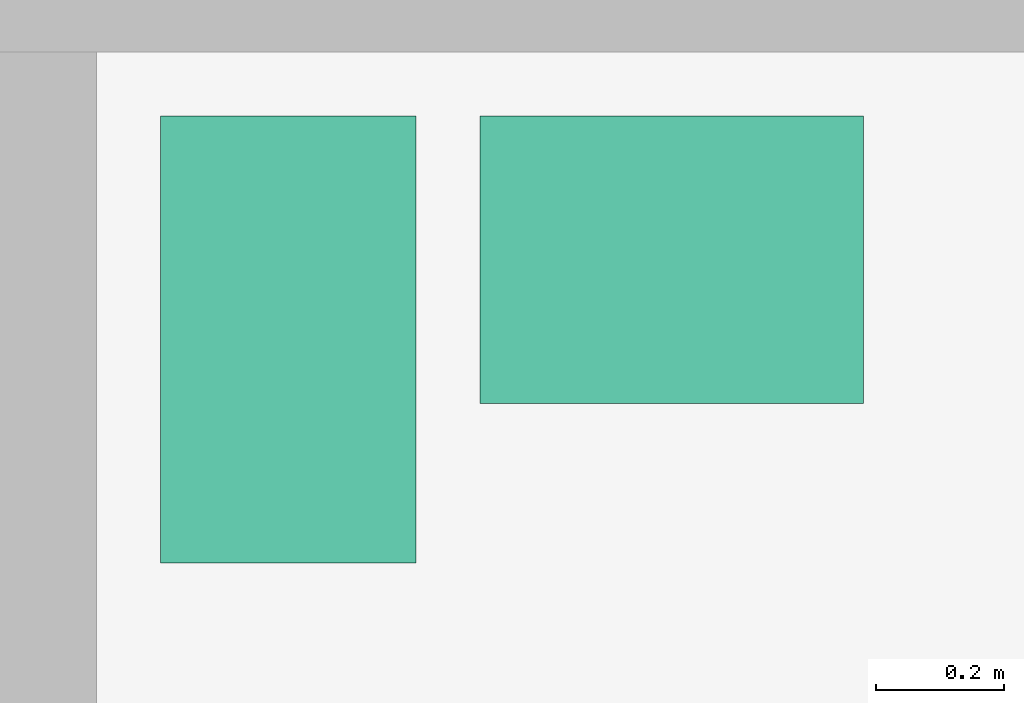
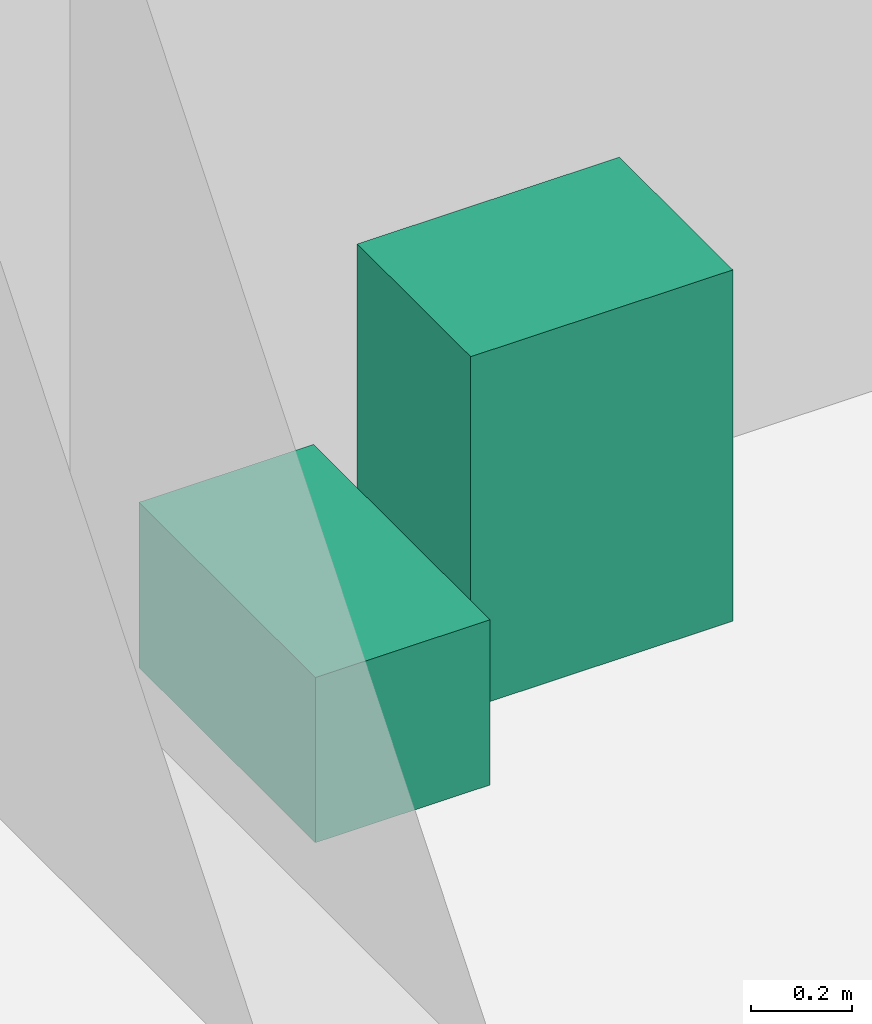
# One storey, part 16 of 16: 2 sanitary terminals.
"""IFC4 building model written with IfcOpenShell, lengths in metres."""

from ifc_helpers import new_model, si_unit, direction, frame, origin, origin_2d, place, context, subcontext, project, spatial, rectangle, extrude, element, save


model = new_model("IFC4")

# Units and contexts
model_context = context("Model", 3, precision=1e-05, world=origin(), true_north=direction((0.0, 1.0)))
body_context = subcontext(model_context, "Body", "Model", "MODEL_VIEW")
ifc_project = project(units=[si_unit("LENGTHUNIT", "METRE"), si_unit("AREAUNIT", "SQUARE_METRE"), si_unit("VOLUMEUNIT", "CUBIC_METRE"), si_unit("PLANEANGLEUNIT", "RADIAN"), si_unit("MASSUNIT", "GRAM", prefix="KILO")], contexts=[model_context])

# Site, building, storey
site_placement = place(None, origin())
site = spatial("IfcSite", under=ifc_project, at=site_placement, CompositionType="ELEMENT")
building_placement = place(site_placement, origin())
building = spatial("IfcBuilding", under=site, at=building_placement, Name="Hankou Lantern Tower", CompositionType="ELEMENT")
storey_placement = place(building_placement, frame((0.0, 0.0, 173.10009765625)))
storey = spatial("IfcBuildingStorey", under=building, at=storey_placement, Name="L46", CompositionType="ELEMENT", Elevation=173.10009765625)

# Sanitary terminals
sanitary_terminal_1_placement = place(storey_placement, frame((-8.5, -2.199951171875, 0.0), z_axis=(0.0, 0.0, 1.0), x_axis=(1.0, 0.0, 0.0)))
element("IfcSanitaryTerminal", 1, at=sanitary_terminal_1_placement, inside=storey, Name="Accessible staff WC WC pan 1", PredefinedType="TOILETPAN", context=body_context, shape_type="SweptSolid", body=[
    extrude(rectangle(XDim=0.39990234375, YDim=0.699951171875, at=origin_2d()), origin(), (0.0, 0.0, 1.0), 0.39990234375),
])
sanitary_terminal_2_placement = place(storey_placement, frame((-7.89990234375, -2.074951171875, -0.000244140625), z_axis=(0.0, 0.0, 1.0), x_axis=(1.0, 0.0, 0.0)))
element("IfcSanitaryTerminal", 2, at=sanitary_terminal_2_placement, inside=storey, Name="Accessible staff WC wash basin 1", PredefinedType="WASHHANDBASIN", context=body_context, shape_type="SweptSolid", body=[
    extrude(rectangle(XDim=0.60009765625, YDim=0.449951171875, at=origin_2d()), origin(), (0.0, 0.0, 1.0), 0.85009765625),
])

save(model, "model.ifc")
